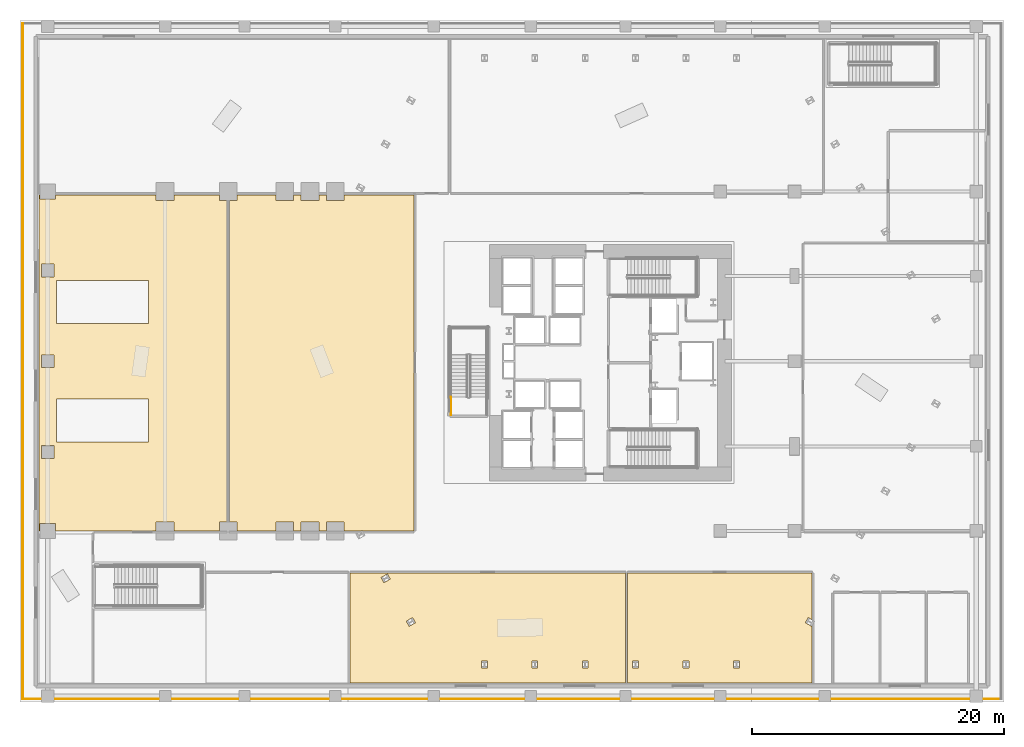
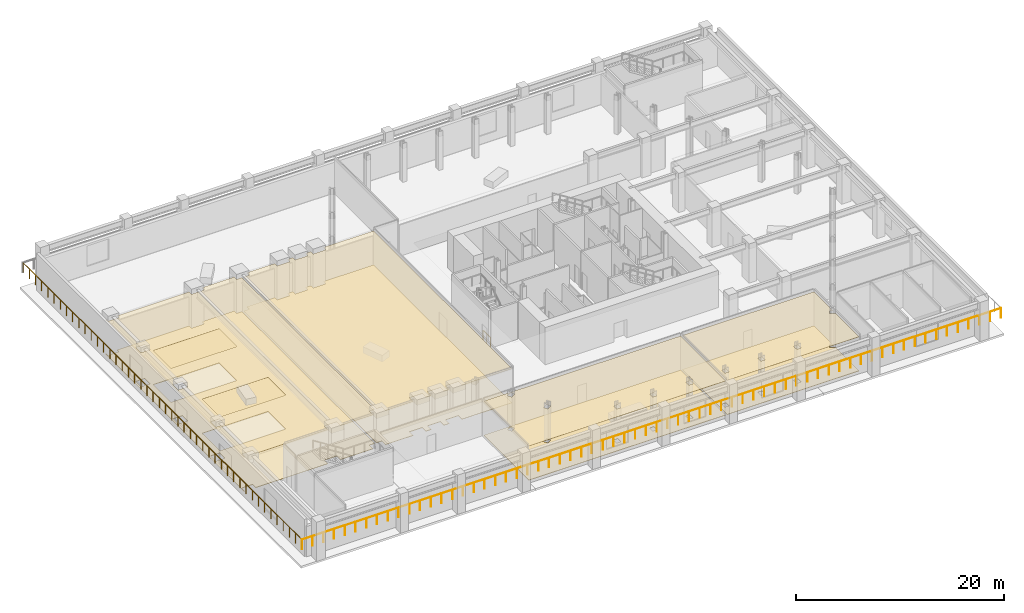
# One storey, part 10 of 18: 8 coverings, 3 railings.
"""IFC4 building model written with IfcOpenShell, lengths in metres."""

from ifc_helpers import new_model, si_unit, direction, frame, origin, origin_2d, place, context, subcontext, project, spatial, polyline, circle, outline, extrude, material, layer, layer_set, type_object, element, save


model = new_model("IFC4")

# Units and contexts
model_context = context("Model", 3, precision=1e-05, world=origin(), true_north=direction((0.0, 1.0)))
body_context = subcontext(model_context, "Body", "Model", "MODEL_VIEW")
ifc_project = project(units=[si_unit("LENGTHUNIT", "METRE"), si_unit("AREAUNIT", "SQUARE_METRE"), si_unit("VOLUMEUNIT", "CUBIC_METRE"), si_unit("PLANEANGLEUNIT", "RADIAN"), si_unit("MASSUNIT", "GRAM", prefix="KILO")], contexts=[model_context])

# Site, building, storey
site_placement = place(None, origin())
site = spatial("IfcSite", under=ifc_project, at=site_placement, CompositionType="ELEMENT")
building_placement = place(site_placement, origin())
building = spatial("IfcBuilding", under=site, at=building_placement, Name="Valkerne Bourse Tower", CompositionType="ELEMENT")
storey_placement = place(building_placement, frame((0.0, 0.0, 10.199951171875)))
storey = spatial("IfcBuildingStorey", under=building, at=storey_placement, Name="L02", CompositionType="ELEMENT", Elevation=10.199951171875)

# Coverings
ifc_material_1 = material(Name="Mineral Fiber Acoustic Ceiling Tile", Category="acoustic")
ifc_layer_1 = layer(ifc_material_1, 0.02490234375)
ifc_layer_set_1 = layer_set([ifc_layer_1], Name="Mineral Fiber Acoustic Ceiling Tile")
covering_type_1 = type_object("IfcCoveringType", Name="COV-CEIL-ACT", PredefinedType="CEILING", material=ifc_layer_set_1)
covering_1_placement = place(storey_placement, frame((0.0, 0.0, 4.010009765625)))
element("IfcCovering", 1, at=covering_1_placement, inside=storey, type_object=covering_type_1, Name="L02 Suspended Ceiling 03", PredefinedType="CEILING", context=body_context, shape_type="SweptSolid", body=[
    extrude(outline(polyline([(26.1640625, 10.196044921875), (47.99609375, 10.196044921875), (47.99609375, 1.50390625), (26.1640625, 1.50390625), (26.1640625, 10.196044921875)]), holes=[polyline([(28.618896484375, 9.84912109375), (28.850341796875, 9.4482421875), (29.35009765625, 9.73681640625), (29.11865234375, 10.137451171875), (28.618896484375, 9.84912109375)]), polyline([(37.04150390625, 3.25634765625), (36.57861328125, 3.25634765625), (36.57861328125, 2.67919921875), (37.04150390625, 2.67919921875), (37.04150390625, 3.25634765625)]), polyline([(45.033203125, 3.25634765625), (44.57080078125, 3.25634765625), (44.57080078125, 2.67919921875), (45.033203125, 2.67919921875), (45.033203125, 3.25634765625)]), polyline([(40.57470703125, 3.25634765625), (40.57470703125, 2.67919921875), (41.037353515625, 2.67919921875), (41.037353515625, 3.25634765625), (40.57470703125, 3.25634765625)]), polyline([(31.11669921875, 6.677001953125), (30.616943359375, 6.388427734375), (30.848388671875, 5.98779296875), (31.347900390625, 6.276123046875), (31.11669921875, 6.677001953125)])]), origin(), (0.0, 0.0, 1.0), 0.025146484375),
])
covering_2_placement = place(storey_placement, frame((0.0, 0.0, 4.010009765625)))
element("IfcCovering", 2, at=covering_2_placement, inside=storey, type_object=covering_type_1, Name="L02 Suspended Ceiling 04", PredefinedType="CEILING", context=body_context, shape_type="SweptSolid", body=[
    extrude(outline(polyline([(48.1640625, 10.196044921875), (62.7958984375, 10.196044921875), (62.7958984375, 6.496337890625), (62.4833984375, 6.677001953125), (62.251953125, 6.276123046875), (62.751708984375, 5.98779296875), (62.7958984375, 6.064453125), (62.7958984375, 1.50390625), (48.1640625, 1.50390625), (48.1640625, 10.196044921875)]), holes=[polyline([(48.566650390625, 3.25634765625), (48.566650390625, 2.67919921875), (49.029296875, 2.67919921875), (49.029296875, 3.25634765625), (48.566650390625, 3.25634765625)]), polyline([(52.5625, 3.25634765625), (52.5625, 2.67919921875), (53.025390625, 2.67919921875), (53.025390625, 3.25634765625), (52.5625, 3.25634765625)]), polyline([(57.021240234375, 3.25634765625), (56.55859375, 3.25634765625), (56.55859375, 2.67919921875), (57.021240234375, 2.67919921875), (57.021240234375, 3.25634765625)])]), origin(), (0.0, 0.0, 1.0), 0.025146484375),
])
covering_3_placement = place(storey_placement, frame((0.0, 0.0, 4.010009765625)))
element("IfcCovering", 3, at=covering_3_placement, inside=storey, type_object=covering_type_1, Name="L02 Suspended Ceiling 12", PredefinedType="CEILING", context=body_context, shape_type="SweptSolid", body=[
    extrude(outline(polyline([(1.50390625, 40.196044921875), (1.595947265625, 40.196044921875), (1.595947265625, 39.845947265625), (2.803955078125, 39.845947265625), (2.803955078125, 40.196044921875), (10.7958984375, 40.196044921875), (10.7958984375, 39.74609375), (12.2041015625, 39.74609375), (12.2041015625, 40.196044921875), (15.7958984375, 40.196044921875), (15.7958984375, 39.74609375), (16.39599609375, 39.74609375), (16.39599609375, 14.25390625), (15.7958984375, 14.25390625), (15.7958984375, 13.553955078125), (12.2041015625, 13.553955078125), (12.2041015625, 14.25390625), (10.7958984375, 14.25390625), (10.7958984375, 13.553955078125), (2.803955078125, 13.553955078125), (2.803955078125, 14.154052734375), (1.595947265625, 14.154052734375), (1.595947265625, 13.553955078125), (1.50390625, 13.553955078125), (1.50390625, 40.196044921875)]), holes=[polyline([(1.696044921875, 20.303955078125), (1.696044921875, 19.2958984375), (2.7041015625, 19.2958984375), (2.7041015625, 20.303955078125), (1.696044921875, 20.303955078125)]), polyline([(2.89990234375, 24.0), (2.89990234375, 20.60009765625), (10.199951171875, 20.60009765625), (10.199951171875, 24.0), (2.89990234375, 24.0)]), polyline([(2.7041015625, 27.50390625), (1.696044921875, 27.50390625), (1.696044921875, 26.49609375), (2.7041015625, 26.49609375), (2.7041015625, 27.50390625)]), polyline([(2.89990234375, 30.0), (10.199951171875, 30.0), (10.199951171875, 33.39990234375), (2.89990234375, 33.39990234375), (2.89990234375, 30.0)]), polyline([(2.7041015625, 34.7041015625), (1.696044921875, 34.7041015625), (1.696044921875, 33.696044921875), (2.7041015625, 33.696044921875), (2.7041015625, 34.7041015625)])]), origin(), (0.0, 0.0, 1.0), 0.025146484375),
])
covering_4_placement = place(storey_placement, frame((0.0, 0.0, 4.010009765625)))
element("IfcCovering", 4, at=covering_4_placement, inside=storey, type_object=covering_type_1, Name="L02 Suspended Ceiling 13", PredefinedType="CEILING", context=body_context, shape_type="SweptSolid", body=[
    extrude(outline(polyline([(16.60400390625, 39.74609375), (17.2041015625, 39.74609375), (17.2041015625, 40.196044921875), (20.2880859375, 40.196044921875), (20.2880859375, 39.74609375), (21.696044921875, 39.74609375), (21.696044921875, 40.196044921875), (22.287109375, 40.196044921875), (22.287109375, 39.74609375), (23.695068359375, 39.74609375), (23.695068359375, 40.196044921875), (24.283935546875, 40.196044921875), (24.283935546875, 39.74609375), (25.69189453125, 39.74609375), (25.69189453125, 40.196044921875), (31.24609375, 40.196044921875), (31.24609375, 13.553955078125), (27.146240234375, 13.553955078125), (27.12060546875, 13.59814453125), (27.044189453125, 13.553955078125), (25.69189453125, 13.553955078125), (25.69189453125, 14.25390625), (24.283935546875, 14.25390625), (24.283935546875, 13.553955078125), (23.695068359375, 13.553955078125), (23.695068359375, 14.25390625), (22.287109375, 14.25390625), (22.287109375, 13.553955078125), (21.696044921875, 13.553955078125), (21.696044921875, 14.25390625), (20.2880859375, 14.25390625), (20.2880859375, 13.553955078125), (17.2041015625, 13.553955078125), (17.2041015625, 14.25390625), (16.60400390625, 14.25390625), (16.60400390625, 39.74609375)])), origin(), (0.0, 0.0, 1.0), 0.025146484375),
])
ifc_material_2 = material(Name="Galvanised Painted Steel", Category="steel")
ifc_layer_2 = layer(ifc_material_2, 0.044921875)
ifc_layer_set_2 = layer_set([ifc_layer_2], Name="Galvanised Painted Steel")
covering_type_2 = type_object("IfcCoveringType", Name="COV-FLR-RAF", PredefinedType="FLOORING", material=ifc_layer_set_2)
covering_5_placement = place(storey_placement, origin())
element("IfcCovering", 5, at=covering_5_placement, inside=storey, type_object=covering_type_2, Name="L02 Floor Finish 03", PredefinedType="FLOORING", context=body_context, shape_type="SweptSolid", body=[
    extrude(outline(polyline([(26.1640625, 10.196044921875), (47.99609375, 10.196044921875), (47.99609375, 1.50390625), (26.1640625, 1.50390625), (26.1640625, 10.196044921875)]), holes=[polyline([(28.618896484375, 9.84912109375), (28.850341796875, 9.4482421875), (29.35009765625, 9.73681640625), (29.11865234375, 10.137451171875), (28.618896484375, 9.84912109375)]), polyline([(37.04150390625, 3.25634765625), (36.57861328125, 3.25634765625), (36.57861328125, 2.67919921875), (37.04150390625, 2.67919921875), (37.04150390625, 3.25634765625)]), polyline([(45.033203125, 3.25634765625), (44.57080078125, 3.25634765625), (44.57080078125, 2.67919921875), (45.033203125, 2.67919921875), (45.033203125, 3.25634765625)]), polyline([(40.57470703125, 3.25634765625), (40.57470703125, 2.67919921875), (41.037353515625, 2.67919921875), (41.037353515625, 3.25634765625), (40.57470703125, 3.25634765625)]), polyline([(31.11669921875, 6.677001953125), (30.616943359375, 6.388427734375), (30.848388671875, 5.98779296875), (31.347900390625, 6.276123046875), (31.11669921875, 6.677001953125)])]), origin(), (0.0, 0.0, 1.0), 0.045166015625),
])
covering_6_placement = place(storey_placement, origin())
element("IfcCovering", 6, at=covering_6_placement, inside=storey, type_object=covering_type_2, Name="L02 Floor Finish 04", PredefinedType="FLOORING", context=body_context, shape_type="SweptSolid", body=[
    extrude(outline(polyline([(48.1640625, 10.196044921875), (62.7958984375, 10.196044921875), (62.7958984375, 6.496337890625), (62.4833984375, 6.677001953125), (62.251953125, 6.276123046875), (62.751708984375, 5.98779296875), (62.7958984375, 6.064453125), (62.7958984375, 1.50390625), (48.1640625, 1.50390625), (48.1640625, 10.196044921875)]), holes=[polyline([(48.566650390625, 3.25634765625), (48.566650390625, 2.67919921875), (49.029296875, 2.67919921875), (49.029296875, 3.25634765625), (48.566650390625, 3.25634765625)]), polyline([(52.5625, 3.25634765625), (52.5625, 2.67919921875), (53.025390625, 2.67919921875), (53.025390625, 3.25634765625), (52.5625, 3.25634765625)]), polyline([(57.021240234375, 3.25634765625), (56.55859375, 3.25634765625), (56.55859375, 2.67919921875), (57.021240234375, 2.67919921875), (57.021240234375, 3.25634765625)])]), origin(), (0.0, 0.0, 1.0), 0.045166015625),
])
covering_7_placement = place(storey_placement, origin())
element("IfcCovering", 7, at=covering_7_placement, inside=storey, type_object=covering_type_2, Name="L02 Floor Finish 12", PredefinedType="FLOORING", context=body_context, shape_type="SweptSolid", body=[
    extrude(outline(polyline([(1.50390625, 40.196044921875), (1.595947265625, 40.196044921875), (1.595947265625, 39.845947265625), (2.803955078125, 39.845947265625), (2.803955078125, 40.196044921875), (10.7958984375, 40.196044921875), (10.7958984375, 39.74609375), (12.2041015625, 39.74609375), (12.2041015625, 40.196044921875), (15.7958984375, 40.196044921875), (15.7958984375, 39.74609375), (16.39599609375, 39.74609375), (16.39599609375, 14.25390625), (15.7958984375, 14.25390625), (15.7958984375, 13.553955078125), (12.2041015625, 13.553955078125), (12.2041015625, 14.25390625), (10.7958984375, 14.25390625), (10.7958984375, 13.553955078125), (2.803955078125, 13.553955078125), (2.803955078125, 14.154052734375), (1.595947265625, 14.154052734375), (1.595947265625, 13.553955078125), (1.50390625, 13.553955078125), (1.50390625, 40.196044921875)]), holes=[polyline([(1.696044921875, 20.303955078125), (1.696044921875, 19.2958984375), (2.7041015625, 19.2958984375), (2.7041015625, 20.303955078125), (1.696044921875, 20.303955078125)]), polyline([(2.89990234375, 24.0), (2.89990234375, 20.60009765625), (10.199951171875, 20.60009765625), (10.199951171875, 24.0), (2.89990234375, 24.0)]), polyline([(2.7041015625, 27.50390625), (1.696044921875, 27.50390625), (1.696044921875, 26.49609375), (2.7041015625, 26.49609375), (2.7041015625, 27.50390625)]), polyline([(2.89990234375, 30.0), (10.199951171875, 30.0), (10.199951171875, 33.39990234375), (2.89990234375, 33.39990234375), (2.89990234375, 30.0)]), polyline([(2.7041015625, 34.7041015625), (1.696044921875, 34.7041015625), (1.696044921875, 33.696044921875), (2.7041015625, 33.696044921875), (2.7041015625, 34.7041015625)])]), origin(), (0.0, 0.0, 1.0), 0.045166015625),
])
covering_8_placement = place(storey_placement, origin())
element("IfcCovering", 8, at=covering_8_placement, inside=storey, type_object=covering_type_2, Name="L02 Floor Finish 13", PredefinedType="FLOORING", context=body_context, shape_type="SweptSolid", body=[
    extrude(outline(polyline([(16.60400390625, 39.74609375), (17.2041015625, 39.74609375), (17.2041015625, 40.196044921875), (20.2880859375, 40.196044921875), (20.2880859375, 39.74609375), (21.696044921875, 39.74609375), (21.696044921875, 40.196044921875), (22.287109375, 40.196044921875), (22.287109375, 39.74609375), (23.695068359375, 39.74609375), (23.695068359375, 40.196044921875), (24.283935546875, 40.196044921875), (24.283935546875, 39.74609375), (25.69189453125, 39.74609375), (25.69189453125, 40.196044921875), (31.24609375, 40.196044921875), (31.24609375, 13.553955078125), (27.146240234375, 13.553955078125), (27.12060546875, 13.59814453125), (27.044189453125, 13.553955078125), (25.69189453125, 13.553955078125), (25.69189453125, 14.25390625), (24.283935546875, 14.25390625), (24.283935546875, 13.553955078125), (23.695068359375, 13.553955078125), (23.695068359375, 14.25390625), (22.287109375, 14.25390625), (22.287109375, 13.553955078125), (21.696044921875, 13.553955078125), (21.696044921875, 14.25390625), (20.2880859375, 14.25390625), (20.2880859375, 13.553955078125), (17.2041015625, 13.553955078125), (17.2041015625, 14.25390625), (16.60400390625, 14.25390625), (16.60400390625, 39.74609375)])), origin(), (0.0, 0.0, 1.0), 0.045166015625),
])

# Railings
ifc_material_3 = material(Name="Laminated Tempered Safety Glass", Category="glass")
railing_type_1 = type_object("IfcRailingType", Name="RLG-GUARD-1150", PredefinedType="BALUSTRADE", material=ifc_material_3)
railing_1_placement = place(storey_placement, frame((0.219970703125, 0.219970703125, 1.800048828125)))
element("IfcRailing", 9, at=railing_1_placement, inside=storey, type_object=railing_type_1, Name="L02 Perimeter Guard Railing GRD-POD-L02-01", PredefinedType="BALUSTRADE", context=body_context, shape_type="SweptSolid", body=[
    extrude(circle(Radius=0.02392578125, at=origin_2d()), frame((0.0, 0.0, 1.1259765625), z_axis=(1.0, 0.0, 0.0), x_axis=(0.0, 1.0, 0.0)), (0.0, 0.0, 1.0), 77.56005859375),
    extrude(circle(Radius=0.02099609375, at=origin_2d()), origin(), (0.0, 0.0, 1.0), 1.101806640625),
    extrude(circle(Radius=0.02099609375, at=origin_2d()), frame((1.193115234375, 0.0, 0.0)), (0.0, 0.0, 1.0), 1.101806640625),
    extrude(circle(Radius=0.02099609375, at=origin_2d()), frame((2.386474609375, 0.0, 0.0)), (0.0, 0.0, 1.0), 1.101806640625),
    extrude(circle(Radius=0.02099609375, at=origin_2d()), frame((3.57958984375, 0.0, 0.0)), (0.0, 0.0, 1.0), 1.101806640625),
    extrude(circle(Radius=0.02099609375, at=origin_2d()), frame((4.77294921875, 0.0, 0.0)), (0.0, 0.0, 1.0), 1.101806640625),
    extrude(circle(Radius=0.02099609375, at=origin_2d()), frame((5.966064453125, 0.0, 0.0)), (0.0, 0.0, 1.0), 1.101806640625),
    extrude(circle(Radius=0.02099609375, at=origin_2d()), frame((7.159423828125, 0.0, 0.0)), (0.0, 0.0, 1.0), 1.101806640625),
    extrude(circle(Radius=0.02099609375, at=origin_2d()), frame((8.3525390625, 0.0, 0.0)), (0.0, 0.0, 1.0), 1.101806640625),
    extrude(circle(Radius=0.02099609375, at=origin_2d()), frame((9.5458984375, 0.0, 0.0)), (0.0, 0.0, 1.0), 1.101806640625),
    extrude(circle(Radius=0.02099609375, at=origin_2d()), frame((10.739013671875, 0.0, 0.0)), (0.0, 0.0, 1.0), 1.101806640625),
    extrude(circle(Radius=0.02099609375, at=origin_2d()), frame((11.932373046875, 0.0, 0.0)), (0.0, 0.0, 1.0), 1.101806640625),
    extrude(circle(Radius=0.02099609375, at=origin_2d()), frame((13.12548828125, 0.0, 0.0)), (0.0, 0.0, 1.0), 1.101806640625),
    extrude(circle(Radius=0.02099609375, at=origin_2d()), frame((14.31884765625, 0.0, 0.0)), (0.0, 0.0, 1.0), 1.101806640625),
    extrude(circle(Radius=0.02099609375, at=origin_2d()), frame((15.511962890625, 0.0, 0.0)), (0.0, 0.0, 1.0), 1.101806640625),
    extrude(circle(Radius=0.02099609375, at=origin_2d()), frame((16.705322265625, 0.0, 0.0)), (0.0, 0.0, 1.0), 1.101806640625),
    extrude(circle(Radius=0.02099609375, at=origin_2d()), frame((17.8984375, 0.0, 0.0)), (0.0, 0.0, 1.0), 1.101806640625),
    extrude(circle(Radius=0.02099609375, at=origin_2d()), frame((19.091796875, 0.0, 0.0)), (0.0, 0.0, 1.0), 1.101806640625),
    extrude(circle(Radius=0.02099609375, at=origin_2d()), frame((20.284912109375, 0.0, 0.0)), (0.0, 0.0, 1.0), 1.101806640625),
    extrude(circle(Radius=0.02099609375, at=origin_2d()), frame((21.478271484375, 0.0, 0.0)), (0.0, 0.0, 1.0), 1.101806640625),
    extrude(circle(Radius=0.02099609375, at=origin_2d()), frame((22.67138671875, 0.0, 0.0)), (0.0, 0.0, 1.0), 1.101806640625),
    extrude(circle(Radius=0.02099609375, at=origin_2d()), frame((23.86474609375, 0.0, 0.0)), (0.0, 0.0, 1.0), 1.101806640625),
    extrude(circle(Radius=0.02099609375, at=origin_2d()), frame((25.057861328125, 0.0, 0.0)), (0.0, 0.0, 1.0), 1.101806640625),
    extrude(circle(Radius=0.02099609375, at=origin_2d()), frame((26.2509765625, 0.0, 0.0)), (0.0, 0.0, 1.0), 1.101806640625),
    extrude(circle(Radius=0.02099609375, at=origin_2d()), frame((27.4443359375, 0.0, 0.0)), (0.0, 0.0, 1.0), 1.101806640625),
    extrude(circle(Radius=0.02099609375, at=origin_2d()), frame((28.637451171875, 0.0, 0.0)), (0.0, 0.0, 1.0), 1.101806640625),
    extrude(circle(Radius=0.02099609375, at=origin_2d()), frame((29.830810546875, 0.0, 0.0)), (0.0, 0.0, 1.0), 1.101806640625),
    extrude(circle(Radius=0.02099609375, at=origin_2d()), frame((31.02392578125, 0.0, 0.0)), (0.0, 0.0, 1.0), 1.101806640625),
    extrude(circle(Radius=0.02099609375, at=origin_2d()), frame((32.21728515625, 0.0, 0.0)), (0.0, 0.0, 1.0), 1.101806640625),
    extrude(circle(Radius=0.02099609375, at=origin_2d()), frame((33.410400390625, 0.0, 0.0)), (0.0, 0.0, 1.0), 1.101806640625),
    extrude(circle(Radius=0.02099609375, at=origin_2d()), frame((34.603759765625, 0.0, 0.0)), (0.0, 0.0, 1.0), 1.101806640625),
    extrude(circle(Radius=0.02099609375, at=origin_2d()), frame((35.796875, 0.0, 0.0)), (0.0, 0.0, 1.0), 1.101806640625),
    extrude(circle(Radius=0.02099609375, at=origin_2d()), frame((36.990234375, 0.0, 0.0)), (0.0, 0.0, 1.0), 1.101806640625),
    extrude(circle(Radius=0.02099609375, at=origin_2d()), frame((38.183349609375, 0.0, 0.0)), (0.0, 0.0, 1.0), 1.101806640625),
    extrude(circle(Radius=0.02099609375, at=origin_2d()), frame((39.376708984375, 0.0, 0.0)), (0.0, 0.0, 1.0), 1.101806640625),
    extrude(circle(Radius=0.02099609375, at=origin_2d()), frame((40.56982421875, 0.0, 0.0)), (0.0, 0.0, 1.0), 1.101806640625),
    extrude(circle(Radius=0.02099609375, at=origin_2d()), frame((41.76318359375, 0.0, 0.0)), (0.0, 0.0, 1.0), 1.101806640625),
    extrude(circle(Radius=0.02099609375, at=origin_2d()), frame((42.956298828125, 0.0, 0.0)), (0.0, 0.0, 1.0), 1.101806640625),
    extrude(circle(Radius=0.02099609375, at=origin_2d()), frame((44.149658203125, 0.0, 0.0)), (0.0, 0.0, 1.0), 1.101806640625),
    extrude(circle(Radius=0.02099609375, at=origin_2d()), frame((45.3427734375, 0.0, 0.0)), (0.0, 0.0, 1.0), 1.101806640625),
    extrude(circle(Radius=0.02099609375, at=origin_2d()), frame((46.5361328125, 0.0, 0.0)), (0.0, 0.0, 1.0), 1.101806640625),
    extrude(circle(Radius=0.02099609375, at=origin_2d()), frame((47.729248046875, 0.0, 0.0)), (0.0, 0.0, 1.0), 1.101806640625),
    extrude(circle(Radius=0.02099609375, at=origin_2d()), frame((48.922607421875, 0.0, 0.0)), (0.0, 0.0, 1.0), 1.101806640625),
    extrude(circle(Radius=0.02099609375, at=origin_2d()), frame((50.11572265625, 0.0, 0.0)), (0.0, 0.0, 1.0), 1.101806640625),
    extrude(circle(Radius=0.02099609375, at=origin_2d()), frame((51.30908203125, 0.0, 0.0)), (0.0, 0.0, 1.0), 1.101806640625),
    extrude(circle(Radius=0.02099609375, at=origin_2d()), frame((52.502197265625, 0.0, 0.0)), (0.0, 0.0, 1.0), 1.101806640625),
    extrude(circle(Radius=0.02099609375, at=origin_2d()), frame((53.6953125, 0.0, 0.0)), (0.0, 0.0, 1.0), 1.101806640625),
    extrude(circle(Radius=0.02099609375, at=origin_2d()), frame((54.888671875, 0.0, 0.0)), (0.0, 0.0, 1.0), 1.101806640625),
    extrude(circle(Radius=0.02099609375, at=origin_2d()), frame((56.081787109375, 0.0, 0.0)), (0.0, 0.0, 1.0), 1.101806640625),
    extrude(circle(Radius=0.02099609375, at=origin_2d()), frame((57.275146484375, 0.0, 0.0)), (0.0, 0.0, 1.0), 1.101806640625),
    extrude(circle(Radius=0.02099609375, at=origin_2d()), frame((58.46826171875, 0.0, 0.0)), (0.0, 0.0, 1.0), 1.101806640625),
    extrude(circle(Radius=0.02099609375, at=origin_2d()), frame((59.66162109375, 0.0, 0.0)), (0.0, 0.0, 1.0), 1.101806640625),
    extrude(circle(Radius=0.02099609375, at=origin_2d()), frame((60.854736328125, 0.0, 0.0)), (0.0, 0.0, 1.0), 1.101806640625),
    extrude(circle(Radius=0.02099609375, at=origin_2d()), frame((62.048095703125, 0.0, 0.0)), (0.0, 0.0, 1.0), 1.101806640625),
    extrude(circle(Radius=0.02099609375, at=origin_2d()), frame((63.2412109375, 0.0, 0.0)), (0.0, 0.0, 1.0), 1.101806640625),
    extrude(circle(Radius=0.02099609375, at=origin_2d()), frame((64.4345703125, 0.0, 0.0)), (0.0, 0.0, 1.0), 1.101806640625),
    extrude(circle(Radius=0.02099609375, at=origin_2d()), frame((65.627685546875, 0.0, 0.0)), (0.0, 0.0, 1.0), 1.101806640625),
    extrude(circle(Radius=0.02099609375, at=origin_2d()), frame((66.821044921875, 0.0, 0.0)), (0.0, 0.0, 1.0), 1.101806640625),
    extrude(circle(Radius=0.02099609375, at=origin_2d()), frame((68.01416015625, 0.0, 0.0)), (0.0, 0.0, 1.0), 1.101806640625),
    extrude(circle(Radius=0.02099609375, at=origin_2d()), frame((69.20751953125, 0.0, 0.0)), (0.0, 0.0, 1.0), 1.101806640625),
    extrude(circle(Radius=0.02099609375, at=origin_2d()), frame((70.400634765625, 0.0, 0.0)), (0.0, 0.0, 1.0), 1.101806640625),
    extrude(circle(Radius=0.02099609375, at=origin_2d()), frame((71.593994140625, 0.0, 0.0)), (0.0, 0.0, 1.0), 1.101806640625),
    extrude(circle(Radius=0.02099609375, at=origin_2d()), frame((72.787109375, 0.0, 0.0)), (0.0, 0.0, 1.0), 1.101806640625),
    extrude(circle(Radius=0.02099609375, at=origin_2d()), frame((73.98046875, 0.0, 0.0)), (0.0, 0.0, 1.0), 1.101806640625),
    extrude(circle(Radius=0.02099609375, at=origin_2d()), frame((75.173583984375, 0.0, 0.0)), (0.0, 0.0, 1.0), 1.101806640625),
    extrude(circle(Radius=0.02099609375, at=origin_2d()), frame((76.366943359375, 0.0, 0.0)), (0.0, 0.0, 1.0), 1.101806640625),
    extrude(circle(Radius=0.02099609375, at=origin_2d()), frame((77.56005859375, 0.0, 0.0)), (0.0, 0.0, 1.0), 1.101806640625),
])
railing_2_placement = place(storey_placement, frame((0.219970703125, 53.780029296875, 1.800048828125)))
element("IfcRailing", 10, at=railing_2_placement, inside=storey, type_object=railing_type_1, Name="L02 Perimeter Guard Railing GRD-POD-L02-04", PredefinedType="BALUSTRADE", context=body_context, shape_type="SweptSolid", body=[
    extrude(circle(Radius=0.02392578125, at=origin_2d()), frame((0.0, 0.0, 1.1259765625), z_axis=(0.0, -1.0, 0.0), x_axis=(1.0, 0.0, 0.0)), (0.0, 0.0, 1.0), 53.56005859375),
    extrude(circle(Radius=0.02099609375, at=origin_2d()), origin(), (0.0, 0.0, 1.0), 1.101806640625),
    extrude(circle(Radius=0.02099609375, at=origin_2d()), frame((0.0, -1.190185546875, 0.0)), (0.0, 0.0, 1.0), 1.101806640625),
    extrude(circle(Radius=0.02099609375, at=origin_2d()), frame((0.0, -2.38037109375, 0.0)), (0.0, 0.0, 1.0), 1.101806640625),
    extrude(circle(Radius=0.02099609375, at=origin_2d()), frame((0.0, -3.570556640625, 0.0)), (0.0, 0.0, 1.0), 1.101806640625),
    extrude(circle(Radius=0.02099609375, at=origin_2d()), frame((0.0, -4.760986328125, 0.0)), (0.0, 0.0, 1.0), 1.101806640625),
    extrude(circle(Radius=0.02099609375, at=origin_2d()), frame((0.0, -5.951171875, 0.0)), (0.0, 0.0, 1.0), 1.101806640625),
    extrude(circle(Radius=0.02099609375, at=origin_2d()), frame((0.0, -7.141357421875, 0.0)), (0.0, 0.0, 1.0), 1.101806640625),
    extrude(circle(Radius=0.02099609375, at=origin_2d()), frame((0.0, -8.33154296875, 0.0)), (0.0, 0.0, 1.0), 1.101806640625),
    extrude(circle(Radius=0.02099609375, at=origin_2d()), frame((0.0, -9.521728515625, 0.0)), (0.0, 0.0, 1.0), 1.101806640625),
    extrude(circle(Radius=0.02099609375, at=origin_2d()), frame((0.0, -10.7119140625, 0.0)), (0.0, 0.0, 1.0), 1.101806640625),
    extrude(circle(Radius=0.02099609375, at=origin_2d()), frame((0.0, -11.90234375, 0.0)), (0.0, 0.0, 1.0), 1.101806640625),
    extrude(circle(Radius=0.02099609375, at=origin_2d()), frame((0.0, -13.092529296875, 0.0)), (0.0, 0.0, 1.0), 1.101806640625),
    extrude(circle(Radius=0.02099609375, at=origin_2d()), frame((0.0, -14.28271484375, 0.0)), (0.0, 0.0, 1.0), 1.101806640625),
    extrude(circle(Radius=0.02099609375, at=origin_2d()), frame((0.0, -15.472900390625, 0.0)), (0.0, 0.0, 1.0), 1.101806640625),
    extrude(circle(Radius=0.02099609375, at=origin_2d()), frame((0.0, -16.6630859375, 0.0)), (0.0, 0.0, 1.0), 1.101806640625),
    extrude(circle(Radius=0.02099609375, at=origin_2d()), frame((0.0, -17.853271484375, 0.0)), (0.0, 0.0, 1.0), 1.101806640625),
    extrude(circle(Radius=0.02099609375, at=origin_2d()), frame((0.0, -19.04345703125, 0.0)), (0.0, 0.0, 1.0), 1.101806640625),
    extrude(circle(Radius=0.02099609375, at=origin_2d()), frame((0.0, -20.23388671875, 0.0)), (0.0, 0.0, 1.0), 1.101806640625),
    extrude(circle(Radius=0.02099609375, at=origin_2d()), frame((0.0, -21.424072265625, 0.0)), (0.0, 0.0, 1.0), 1.101806640625),
    extrude(circle(Radius=0.02099609375, at=origin_2d()), frame((0.0, -22.6142578125, 0.0)), (0.0, 0.0, 1.0), 1.101806640625),
    extrude(circle(Radius=0.02099609375, at=origin_2d()), frame((0.0, -23.804443359375, 0.0)), (0.0, 0.0, 1.0), 1.101806640625),
    extrude(circle(Radius=0.02099609375, at=origin_2d()), frame((0.0, -24.99462890625, 0.0)), (0.0, 0.0, 1.0), 1.101806640625),
    extrude(circle(Radius=0.02099609375, at=origin_2d()), frame((0.0, -26.184814453125, 0.0)), (0.0, 0.0, 1.0), 1.101806640625),
    extrude(circle(Radius=0.02099609375, at=origin_2d()), frame((0.0, -27.375244140625, 0.0)), (0.0, 0.0, 1.0), 1.101806640625),
    extrude(circle(Radius=0.02099609375, at=origin_2d()), frame((0.0, -28.5654296875, 0.0)), (0.0, 0.0, 1.0), 1.101806640625),
    extrude(circle(Radius=0.02099609375, at=origin_2d()), frame((0.0, -29.755615234375, 0.0)), (0.0, 0.0, 1.0), 1.101806640625),
    extrude(circle(Radius=0.02099609375, at=origin_2d()), frame((0.0, -30.94580078125, 0.0)), (0.0, 0.0, 1.0), 1.101806640625),
    extrude(circle(Radius=0.02099609375, at=origin_2d()), frame((0.0, -32.135986328125, 0.0)), (0.0, 0.0, 1.0), 1.101806640625),
    extrude(circle(Radius=0.02099609375, at=origin_2d()), frame((0.0, -33.326171875, 0.0)), (0.0, 0.0, 1.0), 1.101806640625),
    extrude(circle(Radius=0.02099609375, at=origin_2d()), frame((0.0, -34.5166015625, 0.0)), (0.0, 0.0, 1.0), 1.101806640625),
    extrude(circle(Radius=0.02099609375, at=origin_2d()), frame((0.0, -35.706787109375, 0.0)), (0.0, 0.0, 1.0), 1.101806640625),
    extrude(circle(Radius=0.02099609375, at=origin_2d()), frame((0.0, -36.89697265625, 0.0)), (0.0, 0.0, 1.0), 1.101806640625),
    extrude(circle(Radius=0.02099609375, at=origin_2d()), frame((0.0, -38.087158203125, 0.0)), (0.0, 0.0, 1.0), 1.101806640625),
    extrude(circle(Radius=0.02099609375, at=origin_2d()), frame((0.0, -39.27734375, 0.0)), (0.0, 0.0, 1.0), 1.101806640625),
    extrude(circle(Radius=0.02099609375, at=origin_2d()), frame((0.0, -40.467529296875, 0.0)), (0.0, 0.0, 1.0), 1.101806640625),
    extrude(circle(Radius=0.02099609375, at=origin_2d()), frame((0.0, -41.65771484375, 0.0)), (0.0, 0.0, 1.0), 1.101806640625),
    extrude(circle(Radius=0.02099609375, at=origin_2d()), frame((0.0, -42.84814453125, 0.0)), (0.0, 0.0, 1.0), 1.101806640625),
    extrude(circle(Radius=0.02099609375, at=origin_2d()), frame((0.0, -44.038330078125, 0.0)), (0.0, 0.0, 1.0), 1.101806640625),
    extrude(circle(Radius=0.02099609375, at=origin_2d()), frame((0.0, -45.228515625, 0.0)), (0.0, 0.0, 1.0), 1.101806640625),
    extrude(circle(Radius=0.02099609375, at=origin_2d()), frame((0.0, -46.418701171875, 0.0)), (0.0, 0.0, 1.0), 1.101806640625),
    extrude(circle(Radius=0.02099609375, at=origin_2d()), frame((0.0, -47.60888671875, 0.0)), (0.0, 0.0, 1.0), 1.101806640625),
    extrude(circle(Radius=0.02099609375, at=origin_2d()), frame((0.0, -48.799072265625, 0.0)), (0.0, 0.0, 1.0), 1.101806640625),
    extrude(circle(Radius=0.02099609375, at=origin_2d()), frame((0.0, -49.989501953125, 0.0)), (0.0, 0.0, 1.0), 1.101806640625),
    extrude(circle(Radius=0.02099609375, at=origin_2d()), frame((0.0, -51.1796875, 0.0)), (0.0, 0.0, 1.0), 1.101806640625),
    extrude(circle(Radius=0.02099609375, at=origin_2d()), frame((0.0, -52.369873046875, 0.0)), (0.0, 0.0, 1.0), 1.101806640625),
    extrude(circle(Radius=0.02099609375, at=origin_2d()), frame((0.0, -53.56005859375, 0.0)), (0.0, 0.0, 1.0), 1.101806640625),
])
railing_type_2 = type_object("IfcRailingType", Name="RLG-ST-GUARD-1120", PredefinedType="GUARDRAIL", material=ifc_material_2)
railing_3_placement = place(storey_placement, frame((34.14990234375, 22.75, 0.0)))
element("IfcRailing", 11, at=railing_3_placement, inside=storey, type_object=railing_type_2, Name="L02 ST-3 stair guard 9", PredefinedType="GUARDRAIL", context=body_context, shape_type="SweptSolid", body=[
    extrude(circle(Radius=0.02392578125, at=origin_2d()), frame((0.0, 0.0, 1.09619140625), z_axis=(0.0, 1.0, 0.0), x_axis=(-1.0, 0.0, 0.0)), (0.0, 0.0, 1.0), 1.39990234375),
    extrude(circle(Radius=0.02099609375, at=origin_2d()), origin(), (0.0, 0.0, 1.0), 1.072021484375),
    extrude(circle(Radius=0.02099609375, at=origin_2d()), frame((0.0, 0.699951171875, 0.0)), (0.0, 0.0, 1.0), 1.072021484375),
    extrude(circle(Radius=0.02099609375, at=origin_2d()), frame((0.0, 1.39990234375, 0.0)), (0.0, 0.0, 1.0), 1.072021484375),
])

save(model, "model.ifc")
